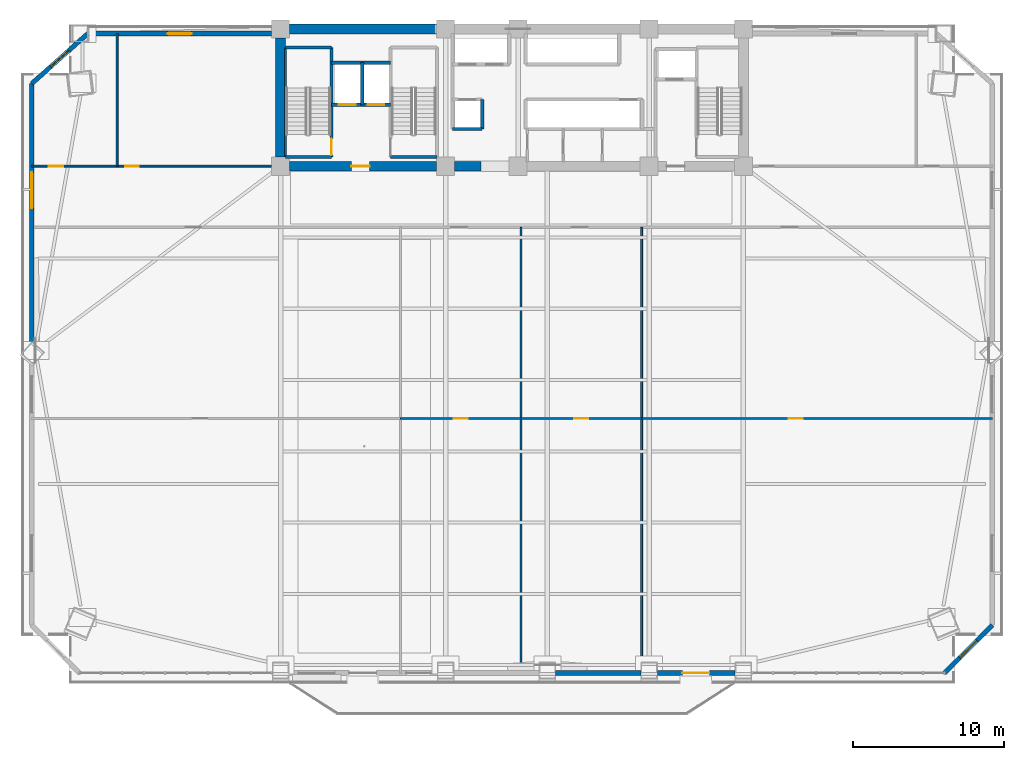
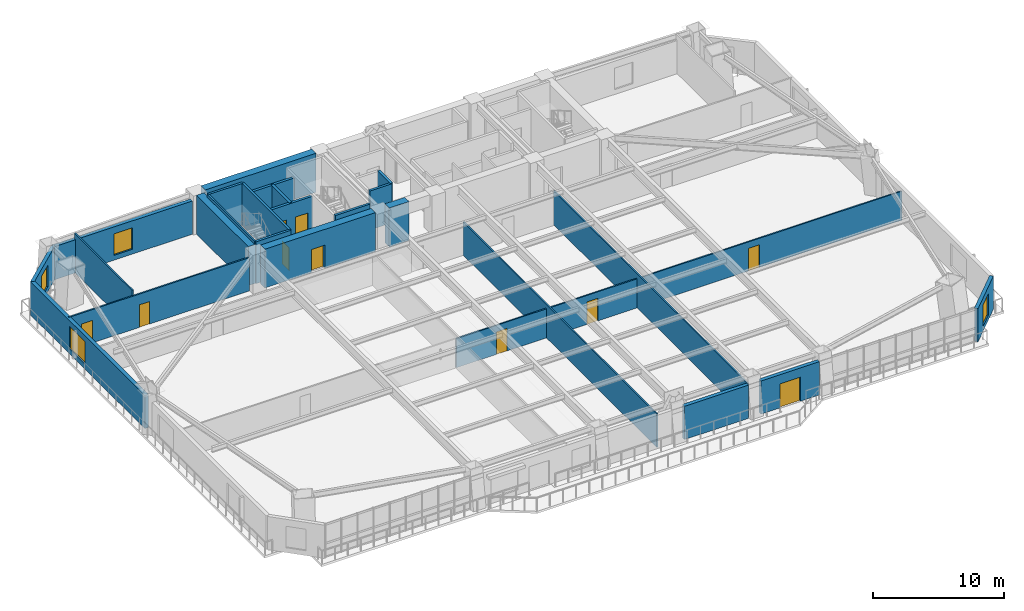
# One storey, part 9 of 17: 27 walls, 10 doors, 4 windows, 14 openings.
"""IFC4 building model written with IfcOpenShell, lengths in metres."""

import ifcopenshell
import ifcopenshell.guid

model = None  # the IFC model being written
_history = None  # IfcOwnerHistory: only IFC2X3 demands one
_inside = {}  # id of a spatial element -> (the spatial element, [elements in it])
_under = {}  # id of a project, library or spatial element -> (it, [spatial elements below it])
_declared = {}  # id of a project -> (the project, [libraries it declares])
_typed = {}  # id of a type object -> (the type object, [elements of that type])
_made_of = {}  # id of a material, layer set ... -> (it, [elements and type objects made of it])


def new_model(schema):
    """Start an empty IFC model of exactly this schema.

    Asked for "IFC4X3", IfcOpenShell would pick the latest addendum, in which some entities
    have other attributes; the version numbers below select the first issue.
    IFC2X3 requires an IfcOwnerHistory on every rooted entity: one is made here for all.
    """
    global model, _history
    if schema == "IFC4X3":
        model = ifcopenshell.file(schema_version=(4, 3, 0, 0))
    else:
        model = ifcopenshell.file(schema=schema)
    _inside.clear()
    _under.clear()
    _declared.clear()
    _typed.clear()
    _made_of.clear()
    _history = None
    if model.schema == "IFC2X3":
        org = make("IfcOrganization", Name="unknown")
        user = make(
            "IfcPersonAndOrganization",
            ThePerson=make("IfcPerson", FamilyName="unknown"),
            TheOrganization=org,
        )
        app = make(
            "IfcApplication",
            ApplicationDeveloper=org,
            Version="unknown",
            ApplicationFullName="unknown",
            ApplicationIdentifier="unknown",
        )
        _history = make(
            "IfcOwnerHistory",
            OwningUser=user,
            OwningApplication=app,
            ChangeAction="ADDED",
            CreationDate=0,
        )
    return model


def make(cls, **values):
    """One entity of the class cls with the attributes given. An attribute that is None is left unset."""
    return model.create_entity(
        cls, **{name: value for name, value in values.items() if value is not None}
    )


def rooted(cls, **values):
    """An entity with a GlobalId (a new one), such as an element, a storey or a relation."""
    return make(cls, GlobalId=ifcopenshell.guid.new(), OwnerHistory=_history, **values)


def si_unit(unit_type, name, prefix=None):
    """IfcSIUnit, for example si_unit("LENGTHUNIT", "METRE", prefix="MILLI")."""
    return make("IfcSIUnit", UnitType=unit_type, Prefix=prefix, Name=name)


def assignment(units):
    """IfcUnitAssignment: the units of a project."""
    return None if units is None else make("IfcUnitAssignment", Units=units)


def point(xyz):
    """IfcCartesianPoint."""
    return None if xyz is None else make("IfcCartesianPoint", Coordinates=xyz)


def direction(xyz):
    """IfcDirection."""
    return None if xyz is None else make("IfcDirection", DirectionRatios=xyz)


def frame(location, z_axis=None, x_axis=None):
    """IfcAxis2Placement3D, a coordinate frame: its origin and axes. An axis left out is left unset."""
    return make(
        "IfcAxis2Placement3D",
        Location=point(location),
        Axis=direction(z_axis),
        RefDirection=direction(x_axis),
    )


def frame_2d(location, x_axis=None):
    """IfcAxis2Placement2D, a coordinate frame in the plane: its origin and x axis."""
    return make(
        "IfcAxis2Placement2D", Location=point(location), RefDirection=direction(x_axis)
    )


def origin():
    """The frame at (0, 0, 0) with its axes left unset."""
    return frame((0.0, 0.0, 0.0))


def place(relative_to, where):
    """IfcLocalPlacement: puts the frame where relative to a parent placement (None: the world)."""
    return make(
        "IfcLocalPlacement", PlacementRelTo=relative_to, RelativePlacement=where
    )


def context(
    kind, dimensions, precision=None, world=None, true_north=None, identifier=None
):
    """IfcGeometricRepresentationContext, for example the 3D "Model" context."""
    return make(
        "IfcGeometricRepresentationContext",
        ContextIdentifier=identifier,
        ContextType=kind,
        CoordinateSpaceDimension=dimensions,
        Precision=precision,
        WorldCoordinateSystem=world,
        TrueNorth=true_north,
    )


def subcontext(parent, identifier, kind, view, scale=None):
    """IfcGeometricRepresentationSubContext, for example "Body" below "Model"."""
    return make(
        "IfcGeometricRepresentationSubContext",
        ContextIdentifier=identifier,
        ContextType=kind,
        ParentContext=parent,
        TargetScale=scale,
        TargetView=view,
    )


def project(units=None, contexts=None):
    """IfcProject with its units and contexts."""
    return rooted(
        "IfcProject",
        Name="project",
        RepresentationContexts=contexts,
        UnitsInContext=assignment(units),
    )


def spatial(cls, under=None, at=None, **own):
    """A site, building, storey or space (cls), placed at a placement, below another one or the project."""
    s = rooted(cls, ObjectPlacement=at, **own)
    if under is not None:
        _under.setdefault(under.id(), (under, []))[1].append(s)
    return s


def profile(cls, at=None, kind="AREA", **sizes):
    """A parametric profile (cls). Its sizes go by their IFC names, for example OverallWidth=200.0."""
    return make(cls, ProfileType=kind, Position=at, **sizes)


def rectangle(**sizes):
    """IfcRectangleProfileDef."""
    return profile("IfcRectangleProfileDef", **sizes)


def extrude(swept, where, along, depth):
    """IfcExtrudedAreaSolid: the profile swept, set in the frame where, extruded along a direction by depth."""
    return make(
        "IfcExtrudedAreaSolid",
        SweptArea=swept,
        Position=where,
        ExtrudedDirection=direction(along),
        Depth=depth,
    )


def shape(context_of_items, identifier, shape_type, items):
    """IfcShapeRepresentation: the items that make up one representation, for example the "Body"."""
    return make(
        "IfcShapeRepresentation",
        ContextOfItems=context_of_items,
        RepresentationIdentifier=identifier,
        RepresentationType=shape_type,
        Items=items,
    )


def source(mapping_origin, context_of_items, identifier, shape_type, items):
    """IfcRepresentationMap: a shape defined once, which mapped items show again and again."""
    return make(
        "IfcRepresentationMap",
        MappingOrigin=mapping_origin,
        MappedRepresentation=shape(context_of_items, identifier, shape_type, items),
    )


def transform(
    local_origin,
    x_axis=None,
    y_axis=None,
    z_axis=None,
    scale=None,
    scale2=None,
    scale3=None,
    uniform=True,
):
    """IfcCartesianTransformationOperator3D, or its non-uniform kind. x_axis, y_axis, z_axis: its Axis1, 2, 3."""
    if uniform:
        return make(
            "IfcCartesianTransformationOperator3D",
            Axis1=direction(x_axis),
            Axis2=direction(y_axis),
            LocalOrigin=point(local_origin),
            Scale=scale,
            Axis3=direction(z_axis),
        )
    return make(
        "IfcCartesianTransformationOperator3DnonUniform",
        Axis1=direction(x_axis),
        Axis2=direction(y_axis),
        LocalOrigin=point(local_origin),
        Scale=scale,
        Axis3=direction(z_axis),
        Scale2=scale2,
        Scale3=scale3,
    )


def mapped(mapping_source, mapping_target):
    """IfcMappedItem: shows the shape of a source again, moved by a transform."""
    return make(
        "IfcMappedItem", MappingSource=mapping_source, MappingTarget=mapping_target
    )


def material(Name=None, Category=None):
    """IfcMaterial."""
    return make("IfcMaterial", Name=Name, Category=Category)


def layer(
    of_material, thickness, ventilated=None, Name=None, Category=None, Priority=None
):
    """IfcMaterialLayer: one layer of a wall or slab, of a material (None: an air gap)."""
    return make(
        "IfcMaterialLayer",
        Material=of_material,
        LayerThickness=thickness,
        IsVentilated=ventilated,
        Name=Name,
        Category=Category,
        Priority=Priority,
    )


def layer_set(layers, Name=None):
    """IfcMaterialLayerSet."""
    return make("IfcMaterialLayerSet", MaterialLayers=layers, LayerSetName=Name)


def made_of(thing, what):
    """Note that an element or type object is made of a material, layer set ...; save() writes the relation."""
    if what is not None:
        _made_of.setdefault(what.id(), (what, []))[1].append(thing)
    return thing


def type_object(cls, material=None, **own):
    """A type object (cls), such as IfcWallType, which elements share."""
    return made_of(rooted(cls, **own), material)


def element(
    cls,
    number,
    at=None,
    inside=None,
    cuts=None,
    type_object=None,
    material=None,
    context=None,
    identifier="Body",
    shape_type=None,
    held_by="IfcProductDefinitionShape",
    body=None,
    shapes=None,
    **own,
):
    """One element of the class cls, such as IfcWall. Its Tag is "e" and its number.

    at: its placement. inside: the storey or other place that contains it. cuts: it is an
    opening in that element (IfcRelVoidsElement). A single representation is given by context,
    identifier, shape_type and body (its items); several are given by shapes. held_by: the class
    of the entity that holds the representations. save() writes the other relations.
    """
    e = rooted(cls, Tag="e%d" % number, ObjectPlacement=at, **own)
    if body is not None:
        shapes = [shape(context, identifier, shape_type, body)]
    if shapes is not None:
        e.Representation = make(held_by, Representations=shapes)
    if inside is not None:
        _inside.setdefault(inside.id(), (inside, []))[1].append(e)
    if cuts is not None:
        rooted(
            "IfcRelVoidsElement", RelatingBuildingElement=cuts, RelatedOpeningElement=e
        )
    if type_object is not None:
        _typed.setdefault(type_object.id(), (type_object, []))[1].append(e)
    return made_of(e, material)


def fill(opening, filler):
    """IfcRelFillsElement: the door or window that sits in an opening."""
    return rooted(
        "IfcRelFillsElement",
        RelatingOpeningElement=opening,
        RelatedBuildingElement=filler,
    )


def aggregate(whole, parts):
    """IfcRelAggregates: a whole, such as a stair, and the parts it consists of."""
    return rooted("IfcRelAggregates", RelatingObject=whole, RelatedObjects=parts)


def save(model, path):
    """Write the relations noted so far, then the file.

    IfcRelAggregates (storeys below a building ...), IfcRelContainedInSpatialStructure (elements
    in a storey), IfcRelDefinesByType, IfcRelAssociatesMaterial and IfcRelDeclares: one each for
    every whole, place, type object, material and project.
    """
    for whole, parts in _under.values():
        aggregate(whole, parts)
    for where, things in _inside.values():
        rooted(
            "IfcRelContainedInSpatialStructure",
            RelatedElements=things,
            RelatingStructure=where,
        )
    for kind, things in _typed.values():
        rooted("IfcRelDefinesByType", RelatedObjects=things, RelatingType=kind)
    for what, things in _made_of.values():
        rooted("IfcRelAssociatesMaterial", RelatedObjects=things, RelatingMaterial=what)
    for by, libraries in _declared.values():
        rooted("IfcRelDeclares", RelatingContext=by, RelatedDefinitions=libraries)
    model.write(path)


model = new_model("IFC4")

# Units and contexts
model_context = context("Model", 3, precision=1e-05, world=origin(), true_north=direction((0.0, 1.0)))
body_context = subcontext(model_context, "Body", "Model", "MODEL_VIEW")
ifc_project = project(units=[si_unit("LENGTHUNIT", "METRE"), si_unit("AREAUNIT", "SQUARE_METRE"), si_unit("VOLUMEUNIT", "CUBIC_METRE"), si_unit("PLANEANGLEUNIT", "RADIAN"), si_unit("MASSUNIT", "GRAM", prefix="KILO")], contexts=[model_context])

# Site, building, storey
site_placement = place(None, origin())
site = spatial("IfcSite", under=ifc_project, at=site_placement, CompositionType="ELEMENT")
building_placement = place(site_placement, origin())
building = spatial("IfcBuilding", under=site, at=building_placement, Name="Giltprow Tower", CompositionType="ELEMENT")
storey_placement = place(building_placement, frame((0.0, 0.0, 44.89990234375)))
storey = spatial("IfcBuildingStorey", under=building, at=storey_placement, Name="L11", CompositionType="ELEMENT", Elevation=44.89990234375)

# Wall, opening, window
ifc_material_1 = material(Name="Precast concrete C40", Category="concrete")
ifc_layer_1 = layer(ifc_material_1, 0.300048828125, Name="Precast concrete C40")
ifc_layer_set_1 = layer_set([ifc_layer_1], Name="Precast concrete C40")
wall_type_1 = type_object("IfcWallType", Name="EW-NOTCH-CHAMFER-300", PredefinedType="SOLIDWALL", material=ifc_layer_set_1)
wall_1_placement = place(storey_placement, frame((63.89111328125, 3.826904296875, 0.0), z_axis=(0.0, 0.0, 1.0), x_axis=(0.707079585295, 0.707133976032, 0.0)))
wall_1 = element("IfcWall", 1, at=wall_1_placement, inside=storey, type_object=wall_type_1, Name="L11 Corner Notch Wall SE", PredefinedType="SOLIDWALL", context=body_context, shape_type="SweptSolid", body=[
    extrude(rectangle(XDim=4.488525390625, YDim=0.300048828125, at=frame_2d((2.244140625, 0.0))), origin(), (0.0, 0.0, 1.0), 3.10009765625),
])
opening_1_placement = place(wall_1_placement, frame((1.444091796875, 0.0, 0.449951171875)))
opening_1 = element("IfcOpeningElement", 2, at=opening_1_placement, cuts=wall_1, Name="Opening WN17", PredefinedType="OPENING", context=body_context, shape_type="SweptSolid", body=[
    extrude(rectangle(XDim=1.60009765625, YDim=2.0, at=frame_2d((0.800048828125, 1.0))), frame((0.0, 0.159912109375, 0.0), z_axis=(0.0, -1.0, 0.0), x_axis=(1.0, 0.0, 0.0)), (0.0, 0.0, 1.0), 0.320068359375),
])
ifc_material_2 = material(Name="Insulated glass", Category="glass")
window_type_1 = type_object("IfcWindowType", Name="WN-COR-1600x2000", PartitioningType="SINGLE_PANEL", PredefinedType="WINDOW", material=ifc_material_2)
shared_shape_1 = source(origin(), body_context, "Body", "SweptSolid", [
    extrude(rectangle(XDim=1.60009765625, YDim=2.0, at=frame_2d((0.800048828125, 1.0))), frame((0.0, 0.030029296875, 0.0), z_axis=(0.0, -1.0, 0.0), x_axis=(1.0, 0.0, 0.0)), (0.0, 0.0, 1.0), 0.06005859375),
])
window_1_placement = place(opening_1_placement, origin())
window_1 = element("IfcWindow", 3, at=window_1_placement, inside=storey, type_object=window_type_1, Name="L11 Corner Notch Window SE", OverallHeight=2.0, OverallWidth=1.60009765625, PartitioningType="SINGLE_PANEL", PredefinedType="WINDOW", context=body_context, shape_type="MappedRepresentation", body=[
    mapped(shared_shape_1, transform((0.0, 0.0, 0.0), x_axis=(1.0, 0.0, 0.0), y_axis=(0.0, 1.0, 0.0), z_axis=(0.0, 0.0, 1.0), scale=1.0)),
])
fill(opening_1, window_1)

wall_2_placement = place(storey_placement, frame((7.05908203125, 46.25, 0.0), z_axis=(0.0, 0.0, 1.0), x_axis=(-0.746050463323, -0.665889409869, 0.0)))
wall_2 = element("IfcWall", 4, at=wall_2_placement, inside=storey, type_object=wall_type_1, Name="L11 Corner Notch Wall NW", PredefinedType="SOLIDWALL", context=body_context, shape_type="SweptSolid", body=[
    extrude(rectangle(XDim=4.99169921875, YDim=0.300048828125, at=frame_2d((2.495849609375, 0.0))), origin(), (0.0, 0.0, 1.0), 3.10009765625),
])
opening_2_placement = place(wall_2_placement, frame((1.696044921875, 0.0, 0.449951171875)))
opening_2 = element("IfcOpeningElement", 5, at=opening_2_placement, cuts=wall_2, Name="Opening WN17", PredefinedType="OPENING", context=body_context, shape_type="SweptSolid", body=[
    extrude(rectangle(XDim=1.60009765625, YDim=2.0, at=frame_2d((0.800048828125, 1.0))), frame((0.0, 0.159912109375, 0.0), z_axis=(0.0, -1.0, 0.0), x_axis=(1.0, 0.0, 0.0)), (0.0, 0.0, 1.0), 0.320068359375),
])
window_2_placement = place(opening_2_placement, origin())
window_2 = element("IfcWindow", 6, at=window_2_placement, inside=storey, type_object=window_type_1, Name="L11 Corner Notch Window NW", OverallHeight=2.0, OverallWidth=1.60009765625, PartitioningType="SINGLE_PANEL", PredefinedType="WINDOW", context=body_context, shape_type="MappedRepresentation", body=[
    mapped(shared_shape_1, transform((0.0, 0.0, 0.0), x_axis=(1.0, 0.0, 0.0), y_axis=(0.0, 1.0, 0.0), z_axis=(0.0, 0.0, 1.0), scale=1.0)),
])
fill(opening_2, window_2)

# Wall
ifc_layer_2 = layer(ifc_material_1, 0.320068359375, Name="Precast concrete C40")
ifc_layer_set_2 = layer_set([ifc_layer_2], Name="Precast concrete C40")
wall_type_2 = type_object("IfcWallType", Name="EW-TOW-STONE-320", PredefinedType="SOLIDWALL", material=ifc_layer_set_2)
wall_3_placement = place(storey_placement, frame((38.10009765625, 3.826904296875, 0.0), z_axis=(0.0, 0.0, 1.0), x_axis=(1.0, 0.0, 0.0)))
element("IfcWall", 7, at=wall_3_placement, inside=storey, type_object=wall_type_2, Name="L11 South Expressed Frame Wall 4", PredefinedType="SOLIDWALL", context=body_context, shape_type="SweptSolid", body=[
    extrude(rectangle(XDim=5.64990234375, YDim=0.320068359375, at=frame_2d((2.824951171875, 0.0))), origin(), (0.0, 0.0, 1.0), 3.10009765625),
])

# Wall, opening, door
wall_4_placement = place(storey_placement, frame((44.85009765625, 3.826904296875, 0.0), z_axis=(0.0, 0.0, 1.0), x_axis=(1.0, 0.0, 0.0)))
wall_4 = element("IfcWall", 8, at=wall_4_placement, inside=storey, type_object=wall_type_2, Name="L11 South Expressed Frame Wall 5", PredefinedType="SOLIDWALL", context=body_context, shape_type="SweptSolid", body=[
    extrude(rectangle(XDim=5.14990234375, YDim=0.320068359375, at=frame_2d((2.574951171875, 0.0))), origin(), (0.0, 0.0, 1.0), 3.10009765625),
])
opening_3_placement = place(wall_4_placement, frame((1.64990234375, 0.0, 0.0)))
opening_3 = element("IfcOpeningElement", 9, at=opening_3_placement, cuts=wall_4, Name="Opening ED25", PredefinedType="OPENING", context=body_context, shape_type="SweptSolid", body=[
    extrude(rectangle(XDim=1.800048828125, YDim=2.25, at=frame_2d((0.89990234375, 1.125))), frame((0.0, 0.169921875, 0.0), z_axis=(0.0, -1.0, 0.0), x_axis=(1.0, 0.0, 0.0)), (0.0, 0.0, 1.0), 0.340087890625),
])
ifc_material_3 = material(Name="Anodized bronze and glass", Category="glass")
door_type_1 = type_object("IfcDoorType", Name="DR-BALC-SLIDE-1800", OperationType="SLIDING_TO_LEFT", PredefinedType="DOOR", material=ifc_material_3)
shared_shape_2 = source(origin(), body_context, "Body", "SweptSolid", [
    extrude(rectangle(XDim=1.800048828125, YDim=2.25, at=frame_2d((0.89990234375, 1.125))), frame((0.0, 0.02490234375, 0.0), z_axis=(0.0, -1.0, 0.0), x_axis=(1.0, 0.0, 0.0)), (0.0, 0.0, 1.0), 0.050048828125),
])
door_1_placement = place(opening_3_placement, origin())
door_1 = element("IfcDoor", 10, at=door_1_placement, inside=storey, type_object=door_type_1, Name="L11 Waterfront Balcony Sliding Door 2", OperationType="SLIDING_TO_LEFT", OverallHeight=2.25, OverallWidth=1.800048828125, PredefinedType="DOOR", context=body_context, shape_type="MappedRepresentation", body=[
    mapped(shared_shape_2, transform((0.0, 0.0, 0.0), x_axis=(1.0, 0.0, 0.0), y_axis=(0.0, 1.0, 0.0), z_axis=(0.0, 0.0, 1.0), scale=1.0)),
])
fill(opening_3, door_1)

# Wall, opening, window
wall_5_placement = place(storey_placement, frame((3.3349609375, 25.512939453125, 0.0), z_axis=(0.0, 0.0, 1.0), x_axis=(0.0, 1.0, 0.0)))
wall_5 = element("IfcWall", 11, at=wall_5_placement, inside=storey, type_object=wall_type_2, Name="L11 W Wing Masonry Wall 2", PredefinedType="SOLIDWALL", context=body_context, shape_type="SweptSolid", body=[
    extrude(rectangle(XDim=17.4130859375, YDim=0.320068359375, at=frame_2d((8.70654296875, 0.0))), origin(), (0.0, 0.0, 1.0), 3.10009765625),
])
opening_4_placement = place(wall_5_placement, frame((9.132080078125, 0.0, 0.449951171875)))
opening_4 = element("IfcOpeningElement", 12, at=opening_4_placement, cuts=wall_5, Name="Opening WN29", PredefinedType="OPENING", context=body_context, shape_type="SweptSolid", body=[
    extrude(rectangle(XDim=2.39990234375, YDim=2.10009765625, at=frame_2d((1.199951171875, 1.050048828125))), frame((0.0, 0.169921875, 0.0), z_axis=(0.0, -1.0, 0.0), x_axis=(1.0, 0.0, 0.0)), (0.0, 0.0, 1.0), 0.340087890625),
])
window_type_2 = type_object("IfcWindowType", Name="WN-OFF-2400x2100", PartitioningType="DOUBLE_PANEL_VERTICAL", PredefinedType="WINDOW", material=ifc_material_2)
shared_shape_3 = source(origin(), body_context, "Body", "SweptSolid", [
    extrude(rectangle(XDim=2.39990234375, YDim=2.10009765625, at=frame_2d((1.199951171875, 1.050048828125))), frame((0.0, 0.030029296875, 0.0), z_axis=(0.0, -1.0, 0.0), x_axis=(1.0, 0.0, 0.0)), (0.0, 0.0, 1.0), 0.06005859375),
])
window_3_placement = place(opening_4_placement, origin())
window_3 = element("IfcWindow", 13, at=window_3_placement, inside=storey, type_object=window_type_2, Name="L11 W Wing Window 2-1", OverallHeight=2.10009765625, OverallWidth=2.39990234375, PartitioningType="SINGLE_PANEL", PredefinedType="WINDOW", context=body_context, shape_type="MappedRepresentation", body=[
    mapped(shared_shape_3, transform((0.0, 0.0, 0.0), x_axis=(1.0, 0.0, 0.0), y_axis=(0.0, 1.0, 0.0), z_axis=(0.0, 0.0, 1.0), scale=1.0)),
])
fill(opening_4, window_3)

wall_6_placement = place(storey_placement, frame((7.05908203125, 46.25, 0.0), z_axis=(0.0, 0.0, 1.0), x_axis=(1.0, 0.0, 0.0)))
wall_6 = element("IfcWall", 14, at=wall_6_placement, inside=storey, type_object=wall_type_2, Name="L11 North-West Wing Wall", PredefinedType="SOLIDWALL", context=body_context, shape_type="SweptSolid", body=[
    extrude(rectangle(XDim=12.19091796875, YDim=0.320068359375, at=frame_2d((6.095458984375, 0.0))), origin(), (0.0, 0.0, 1.0), 3.10009765625),
])
opening_5_placement = place(wall_6_placement, frame((5.294921875, 0.0, 0.449951171875)))
opening_5 = element("IfcOpeningElement", 15, at=opening_5_placement, cuts=wall_6, Name="Opening WN17", PredefinedType="OPENING", context=body_context, shape_type="SweptSolid", body=[
    extrude(rectangle(XDim=1.60009765625, YDim=2.0, at=frame_2d((0.800048828125, 1.0))), frame((0.0, 0.169921875, 0.0), z_axis=(0.0, -1.0, 0.0), x_axis=(1.0, 0.0, 0.0)), (0.0, 0.0, 1.0), 0.340087890625),
])
window_4_placement = place(opening_5_placement, origin())
window_4 = element("IfcWindow", 16, at=window_4_placement, inside=storey, type_object=window_type_1, Name="L11 North-West Window", OverallHeight=2.0, OverallWidth=1.60009765625, PartitioningType="SINGLE_PANEL", PredefinedType="WINDOW", context=body_context, shape_type="MappedRepresentation", body=[
    mapped(shared_shape_1, transform((0.0, 0.0, 0.0), x_axis=(1.0, 0.0, 0.0), y_axis=(0.0, 1.0, 0.0), z_axis=(0.0, 0.0, 1.0), scale=1.0)),
])
fill(opening_5, window_4)

# Wall, opening, door
ifc_material_4 = material(Name="Gypsum stud partition", Category="gypsum")
ifc_layer_3 = layer(ifc_material_4, 0.1201171875, Name="Gypsum stud partition")
ifc_layer_set_3 = layer_set([ifc_layer_3], Name="Gypsum stud partition")
wall_type_3 = type_object("IfcWallType", Name="IW-ROOM-120", PredefinedType="PARTITIONING", material=ifc_layer_set_3)
wall_7_placement = place(storey_placement, frame((27.800048828125, 20.7080078125, 0.0), z_axis=(0.0, 0.0, 1.0), x_axis=(1.0, 0.0, 0.0)))
wall_7 = element("IfcWall", 17, at=wall_7_placement, inside=storey, type_object=wall_type_3, Name="L11 Office Mid Wall 2", PredefinedType="PARTITIONING", context=body_context, shape_type="SweptSolid", body=[
    extrude(rectangle(XDim=8.0, YDim=0.1201171875, at=frame_2d((4.0, 0.0))), origin(), (0.0, 0.0, 1.0), 2.705078125),
])
opening_6_placement = place(wall_7_placement, frame((3.52294921875, 0.0, 0.0)))
opening_6 = element("IfcOpeningElement", 18, at=opening_6_placement, cuts=wall_7, Name="Opening ID11", PredefinedType="OPENING", context=body_context, shape_type="SweptSolid", body=[
    extrude(rectangle(XDim=0.949951171875, YDim=2.10009765625, at=frame_2d((0.47509765625, 1.050048828125))), frame((0.0, 0.070068359375, 0.0), z_axis=(0.0, -1.0, 0.0), x_axis=(1.0, 0.0, 0.0)), (0.0, 0.0, 1.0), 0.14013671875),
])
ifc_material_5 = material(Name="Engineered timber", Category="wood")
door_type_2 = type_object("IfcDoorType", Name="DR-ROOM-950", OperationType="SINGLE_SWING_RIGHT", PredefinedType="DOOR", material=ifc_material_5)
shared_shape_4 = source(origin(), body_context, "Body", "SweptSolid", [
    extrude(rectangle(XDim=0.949951171875, YDim=2.10009765625, at=frame_2d((0.47509765625, 1.050048828125))), frame((0.0, 0.02490234375, 0.0), z_axis=(0.0, -1.0, 0.0), x_axis=(1.0, 0.0, 0.0)), (0.0, 0.0, 1.0), 0.050048828125),
])
door_2_placement = place(opening_6_placement, origin())
door_2 = element("IfcDoor", 19, at=door_2_placement, inside=storey, type_object=door_type_2, Name="L11 Vault Registry Store 2 Inner Door", OperationType="SINGLE_SWING_LEFT", OverallHeight=2.10009765625, OverallWidth=0.949951171875, PredefinedType="DOOR", context=body_context, shape_type="MappedRepresentation", body=[
    mapped(shared_shape_4, transform((0.0, 0.0, 0.0), x_axis=(1.0, 0.0, 0.0), y_axis=(0.0, 1.0, 0.0), z_axis=(0.0, 0.0, 1.0), scale=1.0)),
])
fill(opening_6, door_2)

# Wall
wall_8_placement = place(storey_placement, frame((35.800048828125, 3.826904296875, 0.0), z_axis=(0.0, 0.0, 1.0), x_axis=(0.0, 1.0, 0.0)))
element("IfcWall", 20, at=wall_8_placement, inside=storey, type_object=wall_type_3, Name="L11 Office Partition 2", PredefinedType="PARTITIONING", context=body_context, shape_type="SweptSolid", body=[
    extrude(rectangle(XDim=29.572998046875, YDim=0.1201171875, at=frame_2d((14.78662109375, 0.0))), origin(), (0.0, 0.0, 1.0), 3.10498046875),
])

# Wall, opening, door
wall_9_placement = place(storey_placement, frame((35.800048828125, 20.7080078125, 0.0), z_axis=(0.0, 0.0, 1.0), x_axis=(1.0, 0.0, 0.0)))
wall_9 = element("IfcWall", 21, at=wall_9_placement, inside=storey, type_object=wall_type_3, Name="L11 Office Mid Wall 3", PredefinedType="PARTITIONING", context=body_context, shape_type="SweptSolid", body=[
    extrude(rectangle(XDim=8.0, YDim=0.1201171875, at=frame_2d((4.0, 0.0))), origin(), (0.0, 0.0, 1.0), 2.705078125),
])
opening_7_placement = place(wall_9_placement, frame((3.52294921875, 0.0, 0.0)))
opening_7 = element("IfcOpeningElement", 22, at=opening_7_placement, cuts=wall_9, Name="Opening ID11", PredefinedType="OPENING", context=body_context, shape_type="SweptSolid", body=[
    extrude(rectangle(XDim=0.949951171875, YDim=2.10009765625, at=frame_2d((0.47509765625, 1.050048828125))), frame((0.0, 0.070068359375, 0.0), z_axis=(0.0, -1.0, 0.0), x_axis=(1.0, 0.0, 0.0)), (0.0, 0.0, 1.0), 0.14013671875),
])
door_3_placement = place(opening_7_placement, origin())
door_3 = element("IfcDoor", 23, at=door_3_placement, inside=storey, type_object=door_type_2, Name="L11 Document Deeds Store 3 Inner Door", OperationType="SINGLE_SWING_LEFT", OverallHeight=2.10009765625, OverallWidth=0.949951171875, PredefinedType="DOOR", context=body_context, shape_type="MappedRepresentation", body=[
    mapped(shared_shape_4, transform((0.0, 0.0, 0.0), x_axis=(1.0, 0.0, 0.0), y_axis=(0.0, 1.0, 0.0), z_axis=(0.0, 0.0, 1.0), scale=1.0)),
])
fill(opening_7, door_3)

# Wall
wall_10_placement = place(storey_placement, frame((43.800048828125, 3.826904296875, 0.0), z_axis=(0.0, 0.0, 1.0), x_axis=(0.0, 1.0, 0.0)))
element("IfcWall", 24, at=wall_10_placement, inside=storey, type_object=wall_type_3, Name="L11 Office Partition 3", PredefinedType="PARTITIONING", context=body_context, shape_type="SweptSolid", body=[
    extrude(rectangle(XDim=29.572998046875, YDim=0.1201171875, at=frame_2d((14.78662109375, 0.0))), origin(), (0.0, 0.0, 1.0), 3.155029296875),
])

# Wall, opening, door
wall_11_placement = place(storey_placement, frame((43.800048828125, 20.7080078125, 0.0), z_axis=(0.0, 0.0, 1.0), x_axis=(1.0, 0.0, 0.0)))
wall_11 = element("IfcWall", 25, at=wall_11_placement, inside=storey, type_object=wall_type_3, Name="L11 Office Mid Wall 4", PredefinedType="PARTITIONING", context=body_context, shape_type="SweptSolid", body=[
    extrude(rectangle(XDim=23.264892578125, YDim=0.1201171875, at=frame_2d((11.63232421875, 0.0))), origin(), (0.0, 0.0, 1.0), 2.705078125),
])
opening_8_placement = place(wall_11_placement, frame((9.7509765625, 0.0, 0.0)))
opening_8 = element("IfcOpeningElement", 26, at=opening_8_placement, cuts=wall_11, Name="Opening ID11", PredefinedType="OPENING", context=body_context, shape_type="SweptSolid", body=[
    extrude(rectangle(XDim=0.949951171875, YDim=2.10009765625, at=frame_2d((0.47509765625, 1.050048828125))), frame((0.0, 0.070068359375, 0.0), z_axis=(0.0, -1.0, 0.0), x_axis=(1.0, 0.0, 0.0)), (0.0, 0.0, 1.0), 0.14013671875),
])
door_4_placement = place(opening_8_placement, origin())
door_4 = element("IfcDoor", 27, at=door_4_placement, inside=storey, type_object=door_type_2, Name="L11 Evidence Locker Store 4 Inner Door", OperationType="SINGLE_SWING_LEFT", OverallHeight=2.10009765625, OverallWidth=0.949951171875, PredefinedType="DOOR", context=body_context, shape_type="MappedRepresentation", body=[
    mapped(shared_shape_4, transform((0.0, 0.0, 0.0), x_axis=(1.0, 0.0, 0.0), y_axis=(0.0, 1.0, 0.0), z_axis=(0.0, 0.0, 1.0), scale=1.0)),
])
fill(opening_8, door_4)

# Wall, openings, doors
ifc_material_6 = material(Name="Concrete C40", Category="concrete")
ifc_layer_4 = layer(ifc_material_6, 0.219970703125, Name="Concrete C40")
ifc_layer_set_4 = layer_set([ifc_layer_4], Name="Concrete C40")
wall_type_4 = type_object("IfcWallType", Name="IW-SHAFT-220", PredefinedType="SOLIDWALL", material=ifc_layer_set_4)
wall_12_placement = place(storey_placement, frame((23.219970703125, 41.52001953125, 0.0), z_axis=(0.0, 0.0, 1.0), x_axis=(1.0, 0.0, 0.0)))
wall_12 = element("IfcWall", 28, at=wall_12_placement, inside=storey, type_object=wall_type_4, Name="L11 FFL1 and Service Lift Front Wall", PredefinedType="SOLIDWALL", context=body_context, shape_type="SweptSolid", body=[
    extrude(rectangle(XDim=3.919921875, YDim=0.219970703125, at=frame_2d((1.9599609375, 0.0))), origin(), (0.0, 0.0, 1.0), 3.6201171875),
])
opening_9_placement = place(wall_12_placement, frame((0.5, 0.0, 0.0)))
opening_9 = element("IfcOpeningElement", 29, at=opening_9_placement, cuts=wall_12, Name="Opening LD-11", PredefinedType="OPENING", context=body_context, shape_type="SweptSolid", body=[
    extrude(rectangle(XDim=1.10009765625, YDim=2.199951171875, at=frame_2d((0.550048828125, 1.10009765625))), frame((0.0, 0.119873046875, 0.0), z_axis=(0.0, -1.0, 0.0), x_axis=(1.0, 0.0, 0.0)), (0.0, 0.0, 1.0), 0.239990234375),
])
opening_10_placement = place(wall_12_placement, frame((2.39990234375, 0.0, 0.0)))
opening_10 = element("IfcOpeningElement", 30, at=opening_10_placement, cuts=wall_12, Name="Opening LD-11", PredefinedType="OPENING", context=body_context, shape_type="SweptSolid", body=[
    extrude(rectangle(XDim=1.10009765625, YDim=2.199951171875, at=frame_2d((0.550048828125, 1.10009765625))), frame((0.0, 0.119873046875, 0.0), z_axis=(0.0, -1.0, 0.0), x_axis=(1.0, 0.0, 0.0)), (0.0, 0.0, 1.0), 0.239990234375),
])
ifc_material_7 = material(Name="Stainless steel", Category="steel")
door_type_3 = type_object("IfcDoorType", Name="DR-LIFT-LD1100", OperationType="SLIDING_TO_LEFT", PredefinedType="DOOR", material=ifc_material_7)
shared_shape_5 = source(origin(), body_context, "Body", "SweptSolid", [
    extrude(rectangle(XDim=1.10009765625, YDim=2.199951171875, at=frame_2d((0.550048828125, 1.10009765625))), frame((0.0, 0.02490234375, 0.0), z_axis=(0.0, -1.0, 0.0), x_axis=(1.0, 0.0, 0.0)), (0.0, 0.0, 1.0), 0.050048828125),
])
door_5_placement = place(opening_9_placement, origin())
door_5 = element("IfcDoor", 31, at=door_5_placement, inside=storey, type_object=door_type_3, Name="L11 FFL1 Landing Door", OperationType="SLIDING_TO_LEFT", OverallHeight=2.199951171875, OverallWidth=1.10009765625, PredefinedType="DOOR", context=body_context, shape_type="MappedRepresentation", body=[
    mapped(shared_shape_5, transform((0.0, 0.0, 0.0), x_axis=(1.0, 0.0, 0.0), y_axis=(0.0, 1.0, 0.0), z_axis=(0.0, 0.0, 1.0), scale=1.0)),
])
fill(opening_9, door_5)
door_6_placement = place(opening_10_placement, origin())
door_6 = element("IfcDoor", 32, at=door_6_placement, inside=storey, type_object=door_type_3, Name="L11 SVL1 Landing Door", OperationType="SLIDING_TO_LEFT", OverallHeight=2.199951171875, OverallWidth=1.10009765625, PredefinedType="DOOR", context=body_context, shape_type="MappedRepresentation", body=[
    mapped(shared_shape_5, transform((0.0, 0.0, 0.0), x_axis=(1.0, 0.0, 0.0), y_axis=(0.0, 1.0, 0.0), z_axis=(0.0, 0.0, 1.0), scale=1.0)),
])
fill(opening_10, door_6)

# Walls
wall_13_placement = place(storey_placement, frame((25.260009765625, 41.52001953125, 0.0), z_axis=(0.0, 0.0, 1.0), x_axis=(0.0, 1.0, 0.0)))
element("IfcWall", 33, at=wall_13_placement, inside=storey, type_object=wall_type_4, Name="L11 FFL1-SVL1 Shaft Divider", PredefinedType="SOLIDWALL", context=body_context, shape_type="SweptSolid", body=[
    extrude(rectangle(XDim=2.800048828125, YDim=0.219970703125, at=frame_2d((1.39990234375, 0.0))), origin(), (0.0, 0.0, 1.0), 3.6201171875),
])
wall_14_placement = place(storey_placement, frame((23.219970703125, 44.320068359375, 0.0), z_axis=(0.0, 0.0, 1.0), x_axis=(1.0, 0.0, 0.0)))
element("IfcWall", 34, at=wall_14_placement, inside=storey, type_object=wall_type_4, Name="L11 FFL1-SVL1 Back Shaft Wall", PredefinedType="SOLIDWALL", context=body_context, shape_type="SweptSolid", body=[
    extrude(rectangle(XDim=3.919921875, YDim=0.219970703125, at=frame_2d((1.9599609375, 0.0))), origin(), (0.0, 0.0, 1.0), 3.6201171875),
])
wall_15_placement = place(storey_placement, frame((31.25, 39.919921875, 0.0), z_axis=(0.0, 0.0, 1.0), x_axis=(1.0, 0.0, 0.0)))
element("IfcWall", 35, at=wall_15_placement, inside=storey, type_object=wall_type_4, Name="L11 Low-Rise South Lift Back Wall", PredefinedType="SOLIDWALL", context=body_context, shape_type="SweptSolid", body=[
    extrude(rectangle(XDim=1.969970703125, YDim=0.219970703125, at=frame_2d((0.98486328125, 0.0))), origin(), (0.0, 0.0, 1.0), 3.6201171875),
])
wall_16_placement = place(storey_placement, frame((33.219970703125, 39.919921875, 0.0), z_axis=(0.0, 0.0, 1.0), x_axis=(0.0, 1.0, 0.0)))
element("IfcWall", 36, at=wall_16_placement, inside=storey, type_object=wall_type_4, Name="L11 Low-Rise South Lift East Closure", PredefinedType="SOLIDWALL", context=body_context, shape_type="SweptSolid", body=[
    extrude(rectangle(XDim=1.9599609375, YDim=0.219970703125, at=frame_2d((0.97998046875, 0.0))), origin(), (0.0, 0.0, 1.0), 3.6201171875),
])
ifc_material_8 = material(Name="Concrete C45", Category="concrete")
ifc_layer_5 = layer(ifc_material_8, 0.139892578125, Name="Concrete C45")
ifc_layer_set_5 = layer_set([ifc_layer_5], Name="Concrete C45")
wall_type_5 = type_object("IfcWallType", Name="IW-STAIR-140", PredefinedType="SOLIDWALL", material=ifc_layer_set_5)
wall_17_placement = place(storey_placement, frame((20.169921875, 38.070068359375, 0.0), z_axis=(0.0, 0.0, 1.0), x_axis=(0.0, 1.0, 0.0)))
element("IfcWall", 37, at=wall_17_placement, inside=storey, type_object=wall_type_5, Name="L11 Stair ST-1 West Bearing Wall", PredefinedType="SOLIDWALL", context=body_context, shape_type="SweptSolid", body=[
    extrude(rectangle(XDim=7.25, YDim=0.139892578125, at=frame_2d((3.625, 0.0))), origin(), (0.0, 0.0, 1.0), 3.900146484375),
])

# Wall, opening, door
ifc_layer_6 = layer(ifc_material_6, 0.199951171875, Name="Concrete C40")
ifc_layer_set_6 = layer_set([ifc_layer_6], Name="Concrete C40")
wall_type_6 = type_object("IfcWallType", Name="IW-STAIR-200", PredefinedType="SOLIDWALL", material=ifc_layer_set_6)
wall_18_placement = place(storey_placement, frame((23.219970703125, 38.070068359375, 0.0), z_axis=(0.0, 0.0, 1.0), x_axis=(0.0, 1.0, 0.0)))
wall_18 = element("IfcWall", 38, at=wall_18_placement, inside=storey, type_object=wall_type_6, Name="L11 Stair ST-1 East Bearing Wall", PredefinedType="SOLIDWALL", context=body_context, shape_type="SweptSolid", body=[
    extrude(rectangle(XDim=7.25, YDim=0.199951171875, at=frame_2d((3.625, 0.0))), origin(), (0.0, 0.0, 1.0), 3.900146484375),
])
opening_11_placement = place(wall_18_placement, frame((0.110107421875, 0.0, 0.0)))
opening_11 = element("IfcOpeningElement", 39, at=opening_11_placement, cuts=wall_18, Name="Opening ID33", PredefinedType="OPENING", context=body_context, shape_type="SweptSolid", body=[
    extrude(rectangle(XDim=1.10009765625, YDim=2.14990234375, at=frame_2d((0.550048828125, 1.074951171875))), frame((0.0, 0.10986328125, 0.0), z_axis=(0.0, -1.0, 0.0), x_axis=(1.0, 0.0, 0.0)), (0.0, 0.0, 1.0), 0.219970703125),
])
ifc_material_9 = material(Name="Steel fire leaf", Category="steel")
door_type_4 = type_object("IfcDoorType", Name="DR-STAIR-1100", OperationType="SINGLE_SWING_LEFT", PredefinedType="DOOR", material=ifc_material_9)
shared_shape_6 = source(origin(), body_context, "Body", "SweptSolid", [
    extrude(rectangle(XDim=1.10009765625, YDim=2.14990234375, at=frame_2d((0.550048828125, 1.074951171875))), frame((0.0, 0.02490234375, 0.0), z_axis=(0.0, -1.0, 0.0), x_axis=(1.0, 0.0, 0.0)), (0.0, 0.0, 1.0), 0.050048828125),
])
door_7_placement = place(opening_11_placement, origin())
door_7 = element("IfcDoor", 40, at=door_7_placement, inside=storey, type_object=door_type_4, Name="L11 Stair ST-1 Fire Door", OperationType="SINGLE_SWING_RIGHT", OverallHeight=2.14990234375, OverallWidth=1.10009765625, PredefinedType="DOOR", context=body_context, shape_type="MappedRepresentation", body=[
    mapped(shared_shape_6, transform((0.0, 0.0, 0.0), x_axis=(1.0, 0.0, 0.0), y_axis=(0.0, 1.0, 0.0), z_axis=(0.0, 0.0, 1.0), scale=1.0)),
])
fill(opening_11, door_7)

# Walls
for number, where, z_axis, x_axis, name in (
    (41, (20.169921875, 45.320068359375, 0.0), (0.0, 0.0, 1.0), (1.0, 0.0, 0.0), "L11 Stair ST-1 North Bearing Wall"),
    (42, (20.169921875, 38.070068359375, 0.0), (0.0, 0.0, 1.0), (1.0, 0.0, 0.0), "L11 Stair ST-1 South Bearing Wall"),
):
    element("IfcWall", number, at=place(storey_placement, frame(where, z_axis=z_axis, x_axis=x_axis)), inside=storey, type_object=wall_type_6, Name=name, PredefinedType="SOLIDWALL", context=body_context, shape_type="SweptSolid", body=[
        extrude(rectangle(XDim=3.050048828125, YDim=0.199951171875, at=frame_2d((1.52490234375, 0.0))), origin(), (0.0, 0.0, 1.0), 3.900146484375),
    ])
wall_19_placement = place(storey_placement, frame((27.139892578125, 38.070068359375, 0.0), z_axis=(0.0, 0.0, 1.0), x_axis=(1.0, 0.0, 0.0)))
element("IfcWall", 43, at=wall_19_placement, inside=storey, type_object=wall_type_6, Name="L11 Stair ST-2 South Bearing Wall", PredefinedType="SOLIDWALL", context=body_context, shape_type="SweptSolid", body=[
    extrude(rectangle(XDim=3.080078125, YDim=0.199951171875, at=frame_2d((1.5400390625, 0.0))), origin(), (0.0, 0.0, 1.0), 3.900146484375),
])

# Wall, openings, doors
ifc_material_10 = material(Name="Concrete C30", Category="concrete")
ifc_layer_7 = layer(ifc_material_10, 0.1298828125, Name="Concrete C30")
ifc_layer_set_7 = layer_set([ifc_layer_7], Name="Concrete C30")
wall_type_7 = type_object("IfcWallType", Name="IW-WET-130", PredefinedType="PARTITIONING", material=ifc_layer_set_7)
wall_20_placement = place(storey_placement, frame((3.3349609375, 37.449951171875, 0.0), z_axis=(0.0, 0.0, 1.0), x_axis=(1.0, 0.0, 0.0)))
wall_20 = element("IfcWall", 44, at=wall_20_placement, inside=storey, type_object=wall_type_7, Name="L11 NW Wing South Wall", PredefinedType="PARTITIONING", context=body_context, shape_type="SweptSolid", body=[
    extrude(rectangle(XDim=15.9150390625, YDim=0.1298828125, at=frame_2d((7.95751953125, 0.0))), origin(), (0.0, 0.0, 1.0), 3.10498046875),
])
opening_12_placement = place(wall_20_placement, frame((1.135009765625, 0.0, 0.0)))
opening_12 = element("IfcOpeningElement", 45, at=opening_12_placement, cuts=wall_20, Name="Opening ID11", PredefinedType="OPENING", context=body_context, shape_type="SweptSolid", body=[
    extrude(rectangle(XDim=0.949951171875, YDim=2.10009765625, at=frame_2d((0.47509765625, 1.050048828125))), frame((0.0, 0.074951171875, 0.0), z_axis=(0.0, -1.0, 0.0), x_axis=(1.0, 0.0, 0.0)), (0.0, 0.0, 1.0), 0.14990234375),
])
opening_13_placement = place(wall_20_placement, frame((6.214111328125, 0.0, 0.0)))
opening_13 = element("IfcOpeningElement", 46, at=opening_13_placement, cuts=wall_20, Name="Opening ID15", PredefinedType="OPENING", context=body_context, shape_type="SweptSolid", body=[
    extrude(rectangle(XDim=0.89990234375, YDim=2.10009765625, at=frame_2d((0.449951171875, 1.050048828125))), frame((0.0, 0.074951171875, 0.0), z_axis=(0.0, -1.0, 0.0), x_axis=(1.0, 0.0, 0.0)), (0.0, 0.0, 1.0), 0.14990234375),
])
door_type_5 = type_object("IfcDoorType", Name="DR-WC-900", OperationType="SINGLE_SWING_LEFT", PredefinedType="DOOR", material=ifc_material_5)
shared_shape_7 = source(origin(), body_context, "Body", "SweptSolid", [
    extrude(rectangle(XDim=0.89990234375, YDim=2.10009765625, at=frame_2d((0.449951171875, 1.050048828125))), frame((0.0, 0.02490234375, 0.0), z_axis=(0.0, -1.0, 0.0), x_axis=(1.0, 0.0, 0.0)), (0.0, 0.0, 1.0), 0.050048828125),
])
door_8_placement = place(opening_13_placement, origin())
door_8 = element("IfcDoor", 47, at=door_8_placement, inside=storey, type_object=door_type_5, Name="L11 NW Washroom Door", OperationType="SINGLE_SWING_LEFT", OverallHeight=2.10009765625, OverallWidth=0.89990234375, PredefinedType="DOOR", context=body_context, shape_type="MappedRepresentation", body=[
    mapped(shared_shape_7, transform((0.0, 0.0, 0.0), x_axis=(1.0, 0.0, 0.0), y_axis=(0.0, 1.0, 0.0), z_axis=(0.0, 0.0, 1.0), scale=1.0)),
])
fill(opening_13, door_8)
door_9_placement = place(opening_12_placement, origin())
door_9 = element("IfcDoor", 48, at=door_9_placement, inside=storey, type_object=door_type_2, Name="L11 West Tenant Office West Door", OperationType="SINGLE_SWING_RIGHT", OverallHeight=2.10009765625, OverallWidth=0.949951171875, PredefinedType="DOOR", context=body_context, shape_type="MappedRepresentation", body=[
    mapped(shared_shape_4, transform((0.0, 0.0, 0.0), x_axis=(1.0, 0.0, 0.0), y_axis=(0.0, 1.0, 0.0), z_axis=(0.0, 0.0, 1.0), scale=1.0)),
])
fill(opening_12, door_9)

# Walls
wall_21_placement = place(storey_placement, frame((8.9990234375, 37.449951171875, 0.0), z_axis=(0.0, 0.0, 1.0), x_axis=(0.0, 1.0, 0.0)))
element("IfcWall", 49, at=wall_21_placement, inside=storey, type_object=wall_type_7, Name="L11 NW Wing Divider", PredefinedType="PARTITIONING", context=body_context, shape_type="SweptSolid", body=[
    extrude(rectangle(XDim=8.800048828125, YDim=0.1298828125, at=frame_2d((4.39990234375, 0.0))), origin(), (0.0, 0.0, 1.0), 3.6201171875),
])
ifc_material_11 = material(Name="Concrete C60", Category="concrete")
ifc_layer_8 = layer(ifc_material_11, 0.64990234375, Name="Concrete C60")
ifc_layer_set_8 = layer_set([ifc_layer_8], Name="Concrete C60")
wall_type_8 = type_object("IfcWallType", Name="SW-EXT-650-C60", PredefinedType="SHEAR", material=ifc_layer_set_8)
wall_22_placement = place(storey_placement, frame((20.449951171875, 46.550048828125, 0.0), z_axis=(0.0, 0.0, 1.0), x_axis=(1.0, 0.0, 0.0)))
element("IfcWall", 50, at=wall_22_placement, inside=storey, type_object=wall_type_8, Name="L11 North Rear Core Shear Wall 1", PredefinedType="SHEAR", context=body_context, shape_type="SweptSolid", body=[
    extrude(rectangle(XDim=9.75, YDim=0.64990234375, at=frame_2d((4.875, 0.0))), origin(), (0.0, 0.0, 1.0), 3.6201171875),
])

# Wall, opening, door
ifc_layer_9 = layer(ifc_material_11, 0.64990234375, Name="Concrete C60")
ifc_layer_set_9 = layer_set([ifc_layer_9], Name="Concrete C60")
wall_type_9 = type_object("IfcWallType", Name="SW-INT-650-C60", PredefinedType="SHEAR", material=ifc_layer_set_9)
wall_23_placement = place(storey_placement, frame((20.449951171875, 37.449951171875, 0.0), z_axis=(0.0, 0.0, 1.0), x_axis=(1.0, 0.0, 0.0)))
wall_23 = element("IfcWall", 51, at=wall_23_placement, inside=storey, type_object=wall_type_9, Name="L11 South Rear Core Shear Wall West", PredefinedType="SHEAR", context=body_context, shape_type="SweptSolid", body=[
    extrude(rectangle(XDim=9.75, YDim=0.64990234375, at=frame_2d((4.875, 0.0))), origin(), (0.0, 0.0, 1.0), 3.6201171875),
])
opening_14_placement = place(wall_23_placement, frame((4.10009765625, 0.0, 0.0)))
opening_14 = element("IfcOpeningElement", 52, at=opening_14_placement, cuts=wall_23, Name="Opening ID19", PredefinedType="OPENING", context=body_context, shape_type="SweptSolid", body=[
    extrude(rectangle(XDim=1.199951171875, YDim=2.14990234375, at=frame_2d((0.60009765625, 1.074951171875))), frame((0.0, 0.3349609375, 0.0), z_axis=(0.0, -1.0, 0.0), x_axis=(1.0, 0.0, 0.0)), (0.0, 0.0, 1.0), 0.669921875),
])
door_type_6 = type_object("IfcDoorType", Name="DR-FFLOBBY-1200", OperationType="SINGLE_SWING_RIGHT", PredefinedType="DOOR", material=ifc_material_9)
shared_shape_8 = source(origin(), body_context, "Body", "SweptSolid", [
    extrude(rectangle(XDim=1.199951171875, YDim=2.14990234375, at=frame_2d((0.60009765625, 1.074951171875))), frame((0.0, 0.02490234375, 0.0), z_axis=(0.0, -1.0, 0.0), x_axis=(1.0, 0.0, 0.0)), (0.0, 0.0, 1.0), 0.050048828125),
])
door_10_placement = place(opening_14_placement, origin())
door_10 = element("IfcDoor", 53, at=door_10_placement, inside=storey, type_object=door_type_6, Name="L11 West Firefighting Lobby Entry Door", OperationType="SINGLE_SWING_LEFT", OverallHeight=2.14990234375, OverallWidth=1.199951171875, PredefinedType="DOOR", context=body_context, shape_type="MappedRepresentation", body=[
    mapped(shared_shape_8, transform((0.0, 0.0, 0.0), x_axis=(1.0, 0.0, 0.0), y_axis=(0.0, 1.0, 0.0), z_axis=(0.0, 0.0, 1.0), scale=1.0)),
])
fill(opening_14, door_10)

# Walls
wall_24_placement = place(storey_placement, frame((31.39990234375, 37.449951171875, 0.0), z_axis=(0.0, 0.0, 1.0), x_axis=(1.0, 0.0, 0.0)))
element("IfcWall", 54, at=wall_24_placement, inside=storey, type_object=wall_type_9, Name="L11 South Rear Core Shear Wall Mid-West", PredefinedType="SHEAR", context=body_context, shape_type="SweptSolid", body=[
    extrude(rectangle(XDim=1.75, YDim=0.64990234375, at=frame_2d((0.875, 0.0))), origin(), (0.0, 0.0, 1.0), 3.6201171875),
])
wall_25_placement = place(storey_placement, frame((19.85009765625, 38.050048828125, 0.0), z_axis=(0.0, 0.0, 1.0), x_axis=(0.0, 1.0, 0.0)))
element("IfcWall", 55, at=wall_25_placement, inside=storey, type_object=wall_type_9, Name="L11 W Rear Core Shear Wall", PredefinedType="SHEAR", context=body_context, shape_type="SweptSolid", body=[
    extrude(rectangle(XDim=7.89990234375, YDim=0.64990234375, at=frame_2d((3.949951171875, 0.0))), origin(), (0.0, 0.0, 1.0), 3.6201171875),
])

save(model, "model.ifc")
